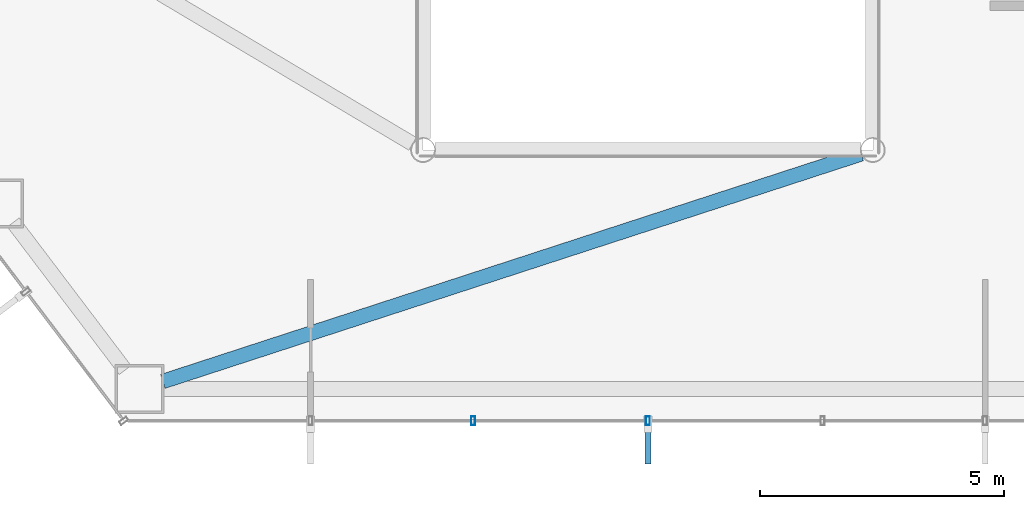
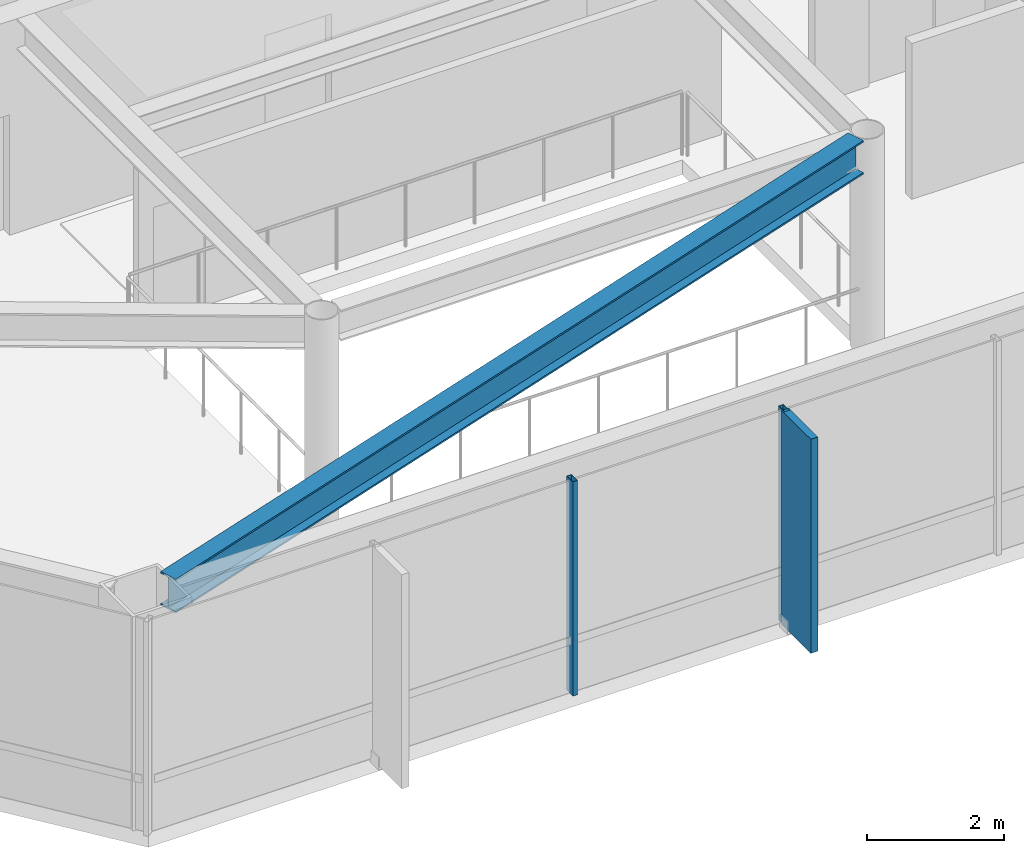
# One storey, part 6 of 25: 3 members, 1 beam, 1 element without a shape of its own.
"""IFC4 building model written with IfcOpenShell, lengths in metres."""

from ifc_helpers import new_model, si_unit, direction, frame, origin, origin_2d, place, context, subcontext, project, spatial, rectangle, hollow_rectangle, i_section, extrude, material, layer, layer_set, material_profile, profile_set, type_object, element, aggregate, save


model = new_model("IFC4")

# Units and contexts
model_context = context("Model", 3, precision=1e-05, world=origin(), true_north=direction((0.0, 1.0)))
body_context = subcontext(model_context, "Body", "Model", "MODEL_VIEW")
ifc_project = project(units=[si_unit("LENGTHUNIT", "METRE"), si_unit("AREAUNIT", "SQUARE_METRE"), si_unit("VOLUMEUNIT", "CUBIC_METRE"), si_unit("PLANEANGLEUNIT", "RADIAN"), si_unit("MASSUNIT", "GRAM", prefix="KILO")], contexts=[model_context])

# Site, building, storey
site_placement = place(None, origin())
site = spatial("IfcSite", under=ifc_project, at=site_placement, CompositionType="ELEMENT")
building_placement = place(site_placement, origin())
building = spatial("IfcBuilding", under=site, at=building_placement, Name="Zarrinselat Tower", CompositionType="ELEMENT")
storey_placement = place(building_placement, frame((0.0, 0.0, 52.02001953125)))
storey = spatial("IfcBuildingStorey", under=building, at=storey_placement, Name="L12", CompositionType="ELEMENT", Elevation=52.02001953125)

# Beam
ifc_material_1 = material(Name="Steel S355J2", Category="steel")
ifc_material_profile_1 = material_profile(ifc_material_1, i_section(OverallWidth=0.300048828125, OverallDepth=0.60009765625, WebThickness=0.015380859375, FlangeThickness=0.030029296875, at=origin_2d()), Name="HEB 600")
ifc_profile_set_1 = profile_set([ifc_material_profile_1], Name="Steel S355J2")
beam_type = type_object("IfcBeamType", Name="BM-HEB600", PredefinedType="BEAM", material=ifc_profile_set_1)
beam_placement = place(storey_placement, frame((28.477783203125, 19.667236328125, 3.52001953125), z_axis=(0.950782616269, 0.309858704251, 0.0), x_axis=(-0.309858704251, 0.950782616269, 0.0)))
element("IfcBeam", 1, at=beam_placement, inside=storey, type_object=beam_type, Name="L12 Radial Primary Girder RG10", PredefinedType="BEAM", context=body_context, shape_type="SweptSolid", body=[
    extrude(i_section(OverallWidth=0.300048828125, OverallDepth=0.60009765625, WebThickness=0.015380859375, FlangeThickness=0.030029296875, at=origin_2d()), origin(), (0.0, 0.0, 1.0), 15.02392578125),
])

# Curtain wall, members
ifc_material_2 = material(Name="Extruded Aluminium Alloy EN AW-6063 T6", Category="aluminium")
ifc_layer = layer(ifc_material_2, 0.18505859375)
ifc_layer_set = layer_set([ifc_layer], Name="Extruded Aluminium Alloy EN AW-6063 T6")
curtain_wall_type = type_object("IfcCurtainWallType", Name="CWS-OFF", PredefinedType="NOTDEFINED", material=ifc_layer_set)
curtain_wall_placement = place(storey_placement, origin())
curtain_wall = element("IfcCurtainWall", 2, at=curtain_wall_placement, inside=storey, type_object=curtain_wall_type, Name="L12 Unitised Curtain Wall CW-L12-E04", PredefinedType="NOTDEFINED")
ifc_material_3 = material(Name="Extruded Aluminium Alloy EN AW-6063 T6", Category="aluminium")
ifc_material_profile_2 = material_profile(ifc_material_3, hollow_rectangle(XDim=0.080078125, YDim=0.179931640625, WallThickness=0.0048828125, at=origin_2d()), Name="RHS 180x80x5")
ifc_profile_set_2 = profile_set([ifc_material_profile_2], Name="Extruded Aluminium Alloy EN AW-6063 T6")
member_type_1 = type_object("IfcMemberType", Name="MEM-CW-MUL", PredefinedType="MULLION", material=ifc_profile_set_2)
member_1_placement = place(storey_placement, frame((34.82568359375, 18.86181640625, 0.0), z_axis=(0.0, 0.0, 1.0), x_axis=(1.0, 0.0, 0.0)))
member_1 = element("IfcMember", 3, at=member_1_placement, type_object=member_type_1, Name="CW-L12-E04 Mullion 2", PredefinedType="MULLION", context=body_context, shape_type="SweptSolid", body=[
    extrude(hollow_rectangle(XDim=0.080078125, YDim=0.179931640625, WallThickness=0.0048828125, at=origin_2d()), origin(), (0.0, 0.0, 1.0), 3.820068359375),
])
member_2_placement = place(storey_placement, frame((38.39990234375, 18.86181640625, 0.0), z_axis=(0.0, 0.0, 1.0), x_axis=(1.0, 0.0, 0.0)))
member_2 = element("IfcMember", 4, at=member_2_placement, type_object=member_type_1, Name="CW-L12-E04 Mullion 3", PredefinedType="MULLION", context=body_context, shape_type="SweptSolid", body=[
    extrude(hollow_rectangle(XDim=0.080078125, YDim=0.179931640625, WallThickness=0.0048828125, at=origin_2d()), origin(), (0.0, 0.0, 1.0), 3.820068359375),
])
ifc_material_4 = material(Name="Honed Cream Travertine Stone", Category="masonry")
ifc_material_profile_3 = material_profile(ifc_material_4, rectangle(XDim=0.1201171875, YDim=0.85009765625, at=origin_2d()), Name="FIN 850x120")
ifc_profile_set_3 = profile_set([ifc_material_profile_3], Name="Honed Cream Travertine Stone")
member_type_2 = type_object("IfcMemberType", Name="MEM-STONE-FIN", PredefinedType="USERDEFINED", material=ifc_profile_set_3)
member_3_placement = place(storey_placement, frame((38.39990234375, 18.401611328125, 0.0), z_axis=(0.0, 0.0, 1.0), x_axis=(-1.0, 0.0, 0.0)))
member_3 = element("IfcMember", 5, at=member_3_placement, type_object=member_type_2, Name="L12 Stone Shading Fin CW-L12-E04-03", ObjectType="FIN", PredefinedType="USERDEFINED", context=body_context, shape_type="SweptSolid", body=[
    extrude(rectangle(XDim=0.1201171875, YDim=0.85009765625, at=origin_2d()), origin(), (0.0, 0.0, 1.0), 3.820068359375),
])
aggregate(curtain_wall, [member_1, member_2, member_3])

save(model, "model.ifc")
